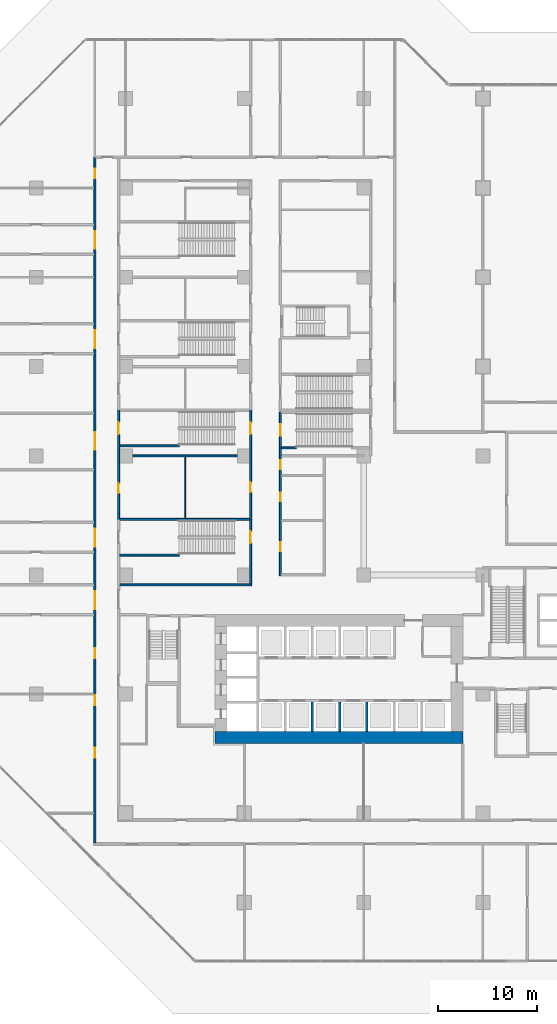
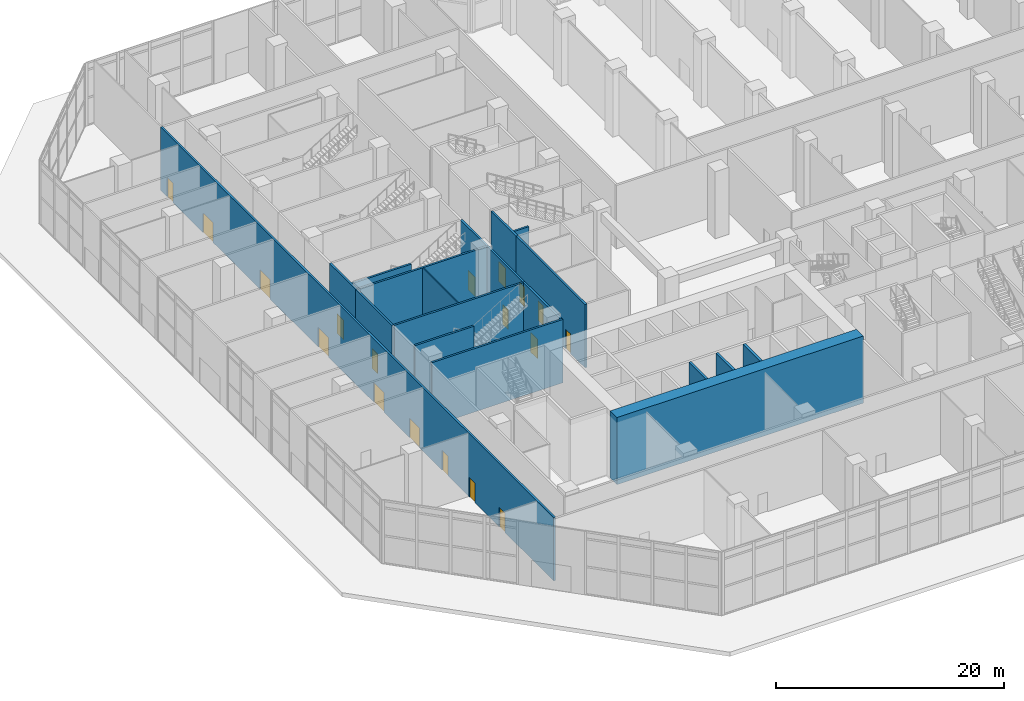
# One storey, part 19 of 34: 19 walls, 18 doors, 18 openings.
"""IFC4 building model written with IfcOpenShell, lengths in metres."""

from ifc_helpers import new_model, si_unit, direction, frame, frame_2d, origin, place, context, subcontext, project, spatial, rectangle, extrude, material, layer, layer_set, type_object, element, fill, save


model = new_model("IFC4")

# Units and contexts
model_context = context("Model", 3, precision=1e-05, world=origin(), true_north=direction((0.0, 1.0)))
body_context = subcontext(model_context, "Body", "Model", "MODEL_VIEW")
ifc_project = project(units=[si_unit("LENGTHUNIT", "METRE"), si_unit("AREAUNIT", "SQUARE_METRE"), si_unit("VOLUMEUNIT", "CUBIC_METRE"), si_unit("PLANEANGLEUNIT", "RADIAN"), si_unit("MASSUNIT", "GRAM", prefix="KILO")], contexts=[model_context])

# Site, building, storey
site_placement = place(None, origin())
site = spatial("IfcSite", under=ifc_project, at=site_placement, CompositionType="ELEMENT")
building_placement = place(site_placement, origin())
building = spatial("IfcBuilding", under=site, at=building_placement, Name="Chenar Terraces", CompositionType="ELEMENT")
storey_placement = place(building_placement, origin())
storey = spatial("IfcBuildingStorey", under=building, at=storey_placement, Name="L00", CompositionType="ELEMENT", Elevation=0.0)

# Walls
ifc_material_1 = material(Name="Gypsum board on steel studs with mineral wool", Category="steel")
ifc_layer_1 = layer(ifc_material_1, 0.125)
ifc_layer_set_1 = layer_set([ifc_layer_1], Name="Gypsum board on steel studs with mineral wool")
wall_type_1 = type_object("IfcWallType", Name="Acoustic partition 125", PredefinedType="PARTITIONING", material=ifc_layer_set_1)
wall_1_placement = place(storey_placement, frame((6.0, 29.699951171875, 0.0), z_axis=(0.0, 0.0, 1.0), x_axis=(0.0, 1.0, 0.0)))
element("IfcWall", 1, at=wall_1_placement, inside=storey, type_object=wall_type_1, Name="Partition L00-043", PredefinedType="PARTITIONING", context=body_context, shape_type="SweptSolid", body=[
    extrude(rectangle(XDim=6.199951171875, YDim=0.125, at=frame_2d((3.10009765625, 0.0))), origin(), (0.0, 0.0, 1.0), 6.800048828125),
])
ifc_material_2 = material(Name="Concrete C70/85", Category="concrete")
ifc_layer_2 = layer(ifc_material_2, 1.199951171875)
ifc_layer_set_2 = layer_set([ifc_layer_2], Name="Concrete C70/85")
wall_type_2 = type_object("IfcWallType", Name="Core wall 1200 Concrete C70/85", PredefinedType="SHEAR", material=ifc_layer_set_2)
wall_2_placement = place(storey_placement, frame((9.0, 7.60009765625, 0.0), z_axis=(0.0, 0.0, 1.0), x_axis=(1.0, 0.0, 0.0)))
element("IfcWall", 2, at=wall_2_placement, inside=storey, type_object=wall_type_2, Name="Core wall S L00", PredefinedType="SHEAR", context=body_context, shape_type="SweptSolid", body=[
    extrude(rectangle(XDim=25.0, YDim=1.199951171875, at=frame_2d((12.5, 0.0))), origin(), (0.0, 0.0, 1.0), 7.199951171875),
])
ifc_material_3 = material(Name="Concrete C70/85", Category="concrete")
ifc_layer_3 = layer(ifc_material_3, 0.25)
ifc_layer_set_3 = layer_set([ifc_layer_3], Name="Concrete C70/85")
wall_type_3 = type_object("IfcWallType", Name="Core wall 250 Concrete C70/85", PredefinedType="SHEAR", material=ifc_layer_set_3)
for number, where, z_axis, x_axis, name in (
    (3, (18.824951171875, 8.199951171875, 0.0), (0.0, 0.0, 1.0), (0.0, 1.0, 0.0), "Core wall SS1 L00"),
    (4, (21.574951171875, 8.199951171875, 0.0), (0.0, 0.0, 1.0), (0.0, 1.0, 0.0), "Core wall SS2 L00"),
    (5, (24.324951171875, 8.199951171875, 0.0), (0.0, 0.0, 1.0), (0.0, 1.0, 0.0), "Core wall SS3 L00"),
):
    element("IfcWall", number, at=place(storey_placement, frame(where, z_axis=z_axis, x_axis=x_axis)), inside=storey, type_object=wall_type_3, Name=name, PredefinedType="SHEAR", context=body_context, shape_type="SweptSolid", body=[
        extrude(rectangle(XDim=3.0, YDim=0.25, at=frame_2d((1.5, 0.0))), origin(), (0.0, 0.0, 1.0), 7.199951171875),
    ])

# Wall, openings, doors
ifc_material_4 = material(Name="Gypsum board on steel studs with fire boards", Category="steel")
ifc_layer_4 = layer(ifc_material_4, 0.199951171875)
ifc_layer_set_4 = layer_set([ifc_layer_4], Name="Gypsum board on steel studs with fire boards")
wall_type_4 = type_object("IfcWallType", Name="Corridor wall 200", PredefinedType="PARTITIONING", material=ifc_layer_set_4)
wall_3_placement = place(storey_placement, frame((-3.10009765625, -3.0, 0.0), z_axis=(0.0, 0.0, 1.0), x_axis=(0.0, 1.0, 0.0)))
wall_3 = element("IfcWall", 6, at=wall_3_placement, inside=storey, type_object=wall_type_4, Name="Partition L00-016", PredefinedType="PARTITIONING", context=body_context, shape_type="SweptSolid", body=[
    extrude(rectangle(XDim=69.10009765625, YDim=0.199951171875, at=frame_2d((34.550048828125, 0.0))), origin(), (0.0, 0.0, 1.0), 6.800048828125),
])
opening_1_placement = place(wall_3_placement, frame((8.60009765625, 0.0, 0.0)))
opening_1 = element("IfcOpeningElement", 7, at=opening_1_placement, cuts=wall_3, Name="Opening DL00-72", PredefinedType="OPENING", context=body_context, shape_type="SweptSolid", body=[
    extrude(rectangle(XDim=1.0, YDim=2.10009765625, at=frame_2d((0.5, 1.050048828125))), frame((0.0, 0.10986328125, 0.0), z_axis=(0.0, -1.0, 0.0), x_axis=(1.0, 0.0, 0.0)), (0.0, 0.0, 1.0), 0.219970703125),
])
opening_2_placement = place(wall_3_placement, frame((13.85009765625, 0.0, 0.0)))
opening_2 = element("IfcOpeningElement", 8, at=opening_2_placement, cuts=wall_3, Name="Opening DL00-73", PredefinedType="OPENING", context=body_context, shape_type="SweptSolid", body=[
    extrude(rectangle(XDim=1.0, YDim=2.10009765625, at=frame_2d((0.5, 1.050048828125))), frame((0.0, 0.10986328125, 0.0), z_axis=(0.0, -1.0, 0.0), x_axis=(1.0, 0.0, 0.0)), (0.0, 0.0, 1.0), 0.219970703125),
])
opening_3_placement = place(wall_3_placement, frame((18.60009765625, 0.0, 0.0)))
opening_3 = element("IfcOpeningElement", 9, at=opening_3_placement, cuts=wall_3, Name="Opening DL00-75", PredefinedType="OPENING", context=body_context, shape_type="SweptSolid", body=[
    extrude(rectangle(XDim=1.0, YDim=2.10009765625, at=frame_2d((0.5, 1.050048828125))), frame((0.0, 0.10986328125, 0.0), z_axis=(0.0, -1.0, 0.0), x_axis=(1.0, 0.0, 0.0)), (0.0, 0.0, 1.0), 0.219970703125),
])
opening_4_placement = place(wall_3_placement, frame((66.949951171875, 0.0, 0.0)))
opening_4 = element("IfcOpeningElement", 10, at=opening_4_placement, cuts=wall_3, Name="Opening DL00-82", PredefinedType="OPENING", context=body_context, shape_type="SweptSolid", body=[
    extrude(rectangle(XDim=1.0, YDim=2.10009765625, at=frame_2d((0.5, 1.050048828125))), frame((0.0, 0.10986328125, 0.0), z_axis=(0.0, -1.0, 0.0), x_axis=(1.0, 0.0, 0.0)), (0.0, 0.0, 1.0), 0.219970703125),
])
opening_5_placement = place(wall_3_placement, frame((59.85009765625, 0.0, 0.0)))
opening_5 = element("IfcOpeningElement", 11, at=opening_5_placement, cuts=wall_3, Name="Opening DL00-107", PredefinedType="OPENING", context=body_context, shape_type="SweptSolid", body=[
    extrude(rectangle(XDim=1.800048828125, YDim=2.10009765625, at=frame_2d((0.89990234375, 1.050048828125))), frame((0.0, 0.10986328125, 0.0), z_axis=(0.0, -1.0, 0.0), x_axis=(1.0, 0.0, 0.0)), (0.0, 0.0, 1.0), 0.219970703125),
])
opening_6_placement = place(wall_3_placement, frame((49.85009765625, 0.0, 0.0)))
opening_6 = element("IfcOpeningElement", 12, at=opening_6_placement, cuts=wall_3, Name="Opening DL00-108", PredefinedType="OPENING", context=body_context, shape_type="SweptSolid", body=[
    extrude(rectangle(XDim=1.800048828125, YDim=2.10009765625, at=frame_2d((0.89990234375, 1.050048828125))), frame((0.0, 0.10986328125, 0.0), z_axis=(0.0, -1.0, 0.0), x_axis=(1.0, 0.0, 0.0)), (0.0, 0.0, 1.0), 0.219970703125),
])
opening_7_placement = place(wall_3_placement, frame((29.85009765625, 0.0, 0.0)))
opening_7 = element("IfcOpeningElement", 13, at=opening_7_placement, cuts=wall_3, Name="Opening DL00-109", PredefinedType="OPENING", context=body_context, shape_type="SweptSolid", body=[
    extrude(rectangle(XDim=1.800048828125, YDim=2.10009765625, at=frame_2d((0.89990234375, 1.050048828125))), frame((0.0, 0.10986328125, 0.0), z_axis=(0.0, -1.0, 0.0), x_axis=(1.0, 0.0, 0.0)), (0.0, 0.0, 1.0), 0.219970703125),
])
opening_8_placement = place(wall_3_placement, frame((39.60009765625, 0.0, 0.0)))
opening_8 = element("IfcOpeningElement", 14, at=opening_8_placement, cuts=wall_3, Name="Opening DL00-110", PredefinedType="OPENING", context=body_context, shape_type="SweptSolid", body=[
    extrude(rectangle(XDim=1.800048828125, YDim=2.10009765625, at=frame_2d((0.89990234375, 1.050048828125))), frame((0.0, 0.10986328125, 0.0), z_axis=(0.0, -1.0, 0.0), x_axis=(1.0, 0.0, 0.0)), (0.0, 0.0, 1.0), 0.219970703125),
])
opening_9_placement = place(wall_3_placement, frame((23.550048828125, 0.0, 0.0)))
opening_9 = element("IfcOpeningElement", 15, at=opening_9_placement, cuts=wall_3, Name="Opening DL00-111", PredefinedType="OPENING", context=body_context, shape_type="SweptSolid", body=[
    extrude(rectangle(XDim=1.800048828125, YDim=2.10009765625, at=frame_2d((0.89990234375, 1.050048828125))), frame((0.0, 0.10986328125, 0.0), z_axis=(0.0, -1.0, 0.0), x_axis=(1.0, 0.0, 0.0)), (0.0, 0.0, 1.0), 0.219970703125),
])
ifc_material_5 = material(Name="Steel-framed fire-resisting door leaf", Category="steel")
door_type_1 = type_object("IfcDoorType", Name="Fire door FD60 1000 x 2100", OperationType="SINGLE_SWING_LEFT", PredefinedType="DOOR", material=ifc_material_5)
door_1_placement = place(opening_1_placement, origin())
door_1 = element("IfcDoor", 16, at=door_1_placement, inside=storey, type_object=door_type_1, Name="Door DL00-72", OperationType="SINGLE_SWING_RIGHT", OverallHeight=2.10009765625, OverallWidth=1.0, PredefinedType="DOOR", context=body_context, shape_type="SweptSolid", body=[
    extrude(rectangle(XDim=1.0, YDim=2.10009765625, at=frame_2d((0.5, 1.050048828125))), frame((0.0, 0.02490234375, 0.0), z_axis=(0.0, -1.0, 0.0), x_axis=(1.0, 0.0, 0.0)), (0.0, 0.0, 1.0), 0.050048828125),
])
fill(opening_1, door_1)
door_2_placement = place(opening_2_placement, origin())
door_2 = element("IfcDoor", 17, at=door_2_placement, inside=storey, type_object=door_type_1, Name="Door DL00-73", OperationType="SINGLE_SWING_RIGHT", OverallHeight=2.10009765625, OverallWidth=1.0, PredefinedType="DOOR", context=body_context, shape_type="SweptSolid", body=[
    extrude(rectangle(XDim=1.0, YDim=2.10009765625, at=frame_2d((0.5, 1.050048828125))), frame((0.0, 0.02490234375, 0.0), z_axis=(0.0, -1.0, 0.0), x_axis=(1.0, 0.0, 0.0)), (0.0, 0.0, 1.0), 0.050048828125),
])
fill(opening_2, door_2)
door_3_placement = place(opening_3_placement, origin())
door_3 = element("IfcDoor", 18, at=door_3_placement, inside=storey, type_object=door_type_1, Name="Door DL00-75", OperationType="SINGLE_SWING_RIGHT", OverallHeight=2.10009765625, OverallWidth=1.0, PredefinedType="DOOR", context=body_context, shape_type="SweptSolid", body=[
    extrude(rectangle(XDim=1.0, YDim=2.10009765625, at=frame_2d((0.5, 1.050048828125))), frame((0.0, 0.02490234375, 0.0), z_axis=(0.0, -1.0, 0.0), x_axis=(1.0, 0.0, 0.0)), (0.0, 0.0, 1.0), 0.050048828125),
])
fill(opening_3, door_3)
door_4_placement = place(opening_4_placement, origin())
door_4 = element("IfcDoor", 19, at=door_4_placement, inside=storey, type_object=door_type_1, Name="Door DL00-82", OperationType="SINGLE_SWING_LEFT", OverallHeight=2.10009765625, OverallWidth=1.0, PredefinedType="DOOR", context=body_context, shape_type="SweptSolid", body=[
    extrude(rectangle(XDim=1.0, YDim=2.10009765625, at=frame_2d((0.5, 1.050048828125))), frame((0.0, 0.02490234375, 0.0), z_axis=(0.0, -1.0, 0.0), x_axis=(1.0, 0.0, 0.0)), (0.0, 0.0, 1.0), 0.050048828125),
])
fill(opening_4, door_4)
ifc_material_6 = material(Name="Steel-framed fire-resisting door leaf", Category="steel")
door_type_2 = type_object("IfcDoorType", Name="Fire double door FD60 1800 x 2100", OperationType="DOUBLE_DOOR_SINGLE_SWING", PredefinedType="DOOR", material=ifc_material_6)
door_5_placement = place(opening_5_placement, origin())
door_5 = element("IfcDoor", 20, at=door_5_placement, inside=storey, type_object=door_type_2, Name="Door DL00-107", OperationType="DOUBLE_DOOR_SINGLE_SWING", OverallHeight=2.10009765625, OverallWidth=1.800048828125, PredefinedType="DOOR", context=body_context, shape_type="SweptSolid", body=[
    extrude(rectangle(XDim=1.800048828125, YDim=2.10009765625, at=frame_2d((0.89990234375, 1.050048828125))), frame((0.0, 0.02490234375, 0.0), z_axis=(0.0, -1.0, 0.0), x_axis=(1.0, 0.0, 0.0)), (0.0, 0.0, 1.0), 0.050048828125),
])
fill(opening_5, door_5)
door_6_placement = place(opening_6_placement, origin())
door_6 = element("IfcDoor", 21, at=door_6_placement, inside=storey, type_object=door_type_2, Name="Door DL00-108", OperationType="DOUBLE_DOOR_SINGLE_SWING", OverallHeight=2.10009765625, OverallWidth=1.800048828125, PredefinedType="DOOR", context=body_context, shape_type="SweptSolid", body=[
    extrude(rectangle(XDim=1.800048828125, YDim=2.10009765625, at=frame_2d((0.89990234375, 1.050048828125))), frame((0.0, 0.02490234375, 0.0), z_axis=(0.0, -1.0, 0.0), x_axis=(1.0, 0.0, 0.0)), (0.0, 0.0, 1.0), 0.050048828125),
])
fill(opening_6, door_6)
door_7_placement = place(opening_7_placement, origin())
door_7 = element("IfcDoor", 22, at=door_7_placement, inside=storey, type_object=door_type_2, Name="Door DL00-109", OperationType="DOUBLE_DOOR_SINGLE_SWING", OverallHeight=2.10009765625, OverallWidth=1.800048828125, PredefinedType="DOOR", context=body_context, shape_type="SweptSolid", body=[
    extrude(rectangle(XDim=1.800048828125, YDim=2.10009765625, at=frame_2d((0.89990234375, 1.050048828125))), frame((0.0, 0.02490234375, 0.0), z_axis=(0.0, -1.0, 0.0), x_axis=(1.0, 0.0, 0.0)), (0.0, 0.0, 1.0), 0.050048828125),
])
fill(opening_7, door_7)
door_8_placement = place(opening_8_placement, origin())
door_8 = element("IfcDoor", 23, at=door_8_placement, inside=storey, type_object=door_type_2, Name="Door DL00-110", OperationType="DOUBLE_DOOR_SINGLE_SWING", OverallHeight=2.10009765625, OverallWidth=1.800048828125, PredefinedType="DOOR", context=body_context, shape_type="SweptSolid", body=[
    extrude(rectangle(XDim=1.800048828125, YDim=2.10009765625, at=frame_2d((0.89990234375, 1.050048828125))), frame((0.0, 0.02490234375, 0.0), z_axis=(0.0, -1.0, 0.0), x_axis=(1.0, 0.0, 0.0)), (0.0, 0.0, 1.0), 0.050048828125),
])
fill(opening_8, door_8)
door_9_placement = place(opening_9_placement, origin())
door_9 = element("IfcDoor", 24, at=door_9_placement, inside=storey, type_object=door_type_2, Name="Door DL00-111", OperationType="DOUBLE_DOOR_SINGLE_SWING", OverallHeight=2.10009765625, OverallWidth=1.800048828125, PredefinedType="DOOR", context=body_context, shape_type="SweptSolid", body=[
    extrude(rectangle(XDim=1.800048828125, YDim=2.10009765625, at=frame_2d((0.89990234375, 1.050048828125))), frame((0.0, 0.02490234375, 0.0), z_axis=(0.0, -1.0, 0.0), x_axis=(1.0, 0.0, 0.0)), (0.0, 0.0, 1.0), 0.050048828125),
])
fill(opening_9, door_9)

# Wall, opening, door
wall_4_placement = place(storey_placement, frame((-0.699951171875, 29.60009765625, 0.0), z_axis=(0.0, 0.0, 1.0), x_axis=(0.0, 1.0, 0.0)))
wall_4 = element("IfcWall", 25, at=wall_4_placement, inside=storey, type_object=wall_type_4, Name="Partition L00-022", PredefinedType="PARTITIONING", context=body_context, shape_type="SweptSolid", body=[
    extrude(rectangle(XDim=6.39990234375, YDim=0.199951171875, at=frame_2d((3.199951171875, 0.0))), origin(), (0.0, 0.0, 1.0), 6.800048828125),
])
opening_10_placement = place(wall_4_placement, frame((2.64990234375, 0.0, 0.0)))
opening_10 = element("IfcOpeningElement", 26, at=opening_10_placement, cuts=wall_4, Name="Opening DL00-35", PredefinedType="OPENING", context=body_context, shape_type="SweptSolid", body=[
    extrude(rectangle(XDim=1.0, YDim=2.10009765625, at=frame_2d((0.5, 1.050048828125))), frame((0.0, 0.10986328125, 0.0), z_axis=(0.0, -1.0, 0.0), x_axis=(1.0, 0.0, 0.0)), (0.0, 0.0, 1.0), 0.219970703125),
])
door_10_placement = place(opening_10_placement, frame((1.0, 0.0, 0.0), z_axis=(0.0, 0.0, 1.0), x_axis=(-1.0, 0.0, 0.0)))
door_10 = element("IfcDoor", 27, at=door_10_placement, inside=storey, type_object=door_type_1, Name="Door DL00-35", OperationType="SINGLE_SWING_LEFT", OverallHeight=2.10009765625, OverallWidth=1.0, PredefinedType="DOOR", context=body_context, shape_type="SweptSolid", body=[
    extrude(rectangle(XDim=1.0, YDim=2.10009765625, at=frame_2d((0.5, 1.050048828125))), frame((0.0, 0.02490234375, 0.0), z_axis=(0.0, -1.0, 0.0), x_axis=(1.0, 0.0, 0.0)), (0.0, 0.0, 1.0), 0.050048828125),
])
fill(opening_10, door_10)

wall_5_placement = place(storey_placement, frame((12.60009765625, 29.60009765625, 0.0), z_axis=(0.0, 0.0, 1.0), x_axis=(0.0, 1.0, 0.0)))
wall_5 = element("IfcWall", 28, at=wall_5_placement, inside=storey, type_object=wall_type_4, Name="Partition L00-050", PredefinedType="PARTITIONING", context=body_context, shape_type="SweptSolid", body=[
    extrude(rectangle(XDim=6.39990234375, YDim=0.199951171875, at=frame_2d((3.199951171875, 0.0))), origin(), (0.0, 0.0, 1.0), 6.800048828125),
])
opening_11_placement = place(wall_5_placement, frame((2.75, 0.0, 0.0)))
opening_11 = element("IfcOpeningElement", 29, at=opening_11_placement, cuts=wall_5, Name="Opening DL00-10", PredefinedType="OPENING", context=body_context, shape_type="SweptSolid", body=[
    extrude(rectangle(XDim=1.0, YDim=2.10009765625, at=frame_2d((0.5, 1.050048828125))), frame((0.0, 0.10986328125, 0.0), z_axis=(0.0, -1.0, 0.0), x_axis=(1.0, 0.0, 0.0)), (0.0, 0.0, 1.0), 0.219970703125),
])
door_11_placement = place(opening_11_placement, origin())
door_11 = element("IfcDoor", 30, at=door_11_placement, inside=storey, type_object=door_type_1, Name="Door DL00-10", OperationType="SINGLE_SWING_RIGHT", OverallHeight=2.10009765625, OverallWidth=1.0, PredefinedType="DOOR", context=body_context, shape_type="SweptSolid", body=[
    extrude(rectangle(XDim=1.0, YDim=2.10009765625, at=frame_2d((0.5, 1.050048828125))), frame((0.0, 0.02490234375, 0.0), z_axis=(0.0, -1.0, 0.0), x_axis=(1.0, 0.0, 0.0)), (0.0, 0.0, 1.0), 0.050048828125),
])
fill(opening_11, door_11)

# Wall, openings, doors
wall_6_placement = place(storey_placement, frame((15.60009765625, 23.89990234375, 0.0), z_axis=(0.0, 0.0, 1.0), x_axis=(0.0, 1.0, 0.0)))
wall_6 = element("IfcWall", 31, at=wall_6_placement, inside=storey, type_object=wall_type_4, Name="Partition L00-059", PredefinedType="PARTITIONING", context=body_context, shape_type="SweptSolid", body=[
    extrude(rectangle(XDim=12.10009765625, YDim=0.199951171875, at=frame_2d((6.050048828125, 0.0))), origin(), (0.0, 0.0, 1.0), 6.800048828125),
])
opening_12_placement = place(wall_6_placement, frame((10.75, 0.0, 0.0)))
opening_12 = element("IfcOpeningElement", 32, at=opening_12_placement, cuts=wall_6, Name="Opening DL00-113", PredefinedType="OPENING", context=body_context, shape_type="SweptSolid", body=[
    extrude(rectangle(XDim=0.89990234375, YDim=2.10009765625, at=frame_2d((0.449951171875, 1.050048828125))), frame((0.0, 0.10986328125, 0.0), z_axis=(0.0, -1.0, 0.0), x_axis=(1.0, 0.0, 0.0)), (0.0, 0.0, 1.0), 0.219970703125),
])
opening_13_placement = place(wall_6_placement, frame((7.5, 0.0, 0.0)))
opening_13 = element("IfcOpeningElement", 33, at=opening_13_placement, cuts=wall_6, Name="Opening DL00-114", PredefinedType="OPENING", context=body_context, shape_type="SweptSolid", body=[
    extrude(rectangle(XDim=0.89990234375, YDim=2.10009765625, at=frame_2d((0.449951171875, 1.050048828125))), frame((0.0, 0.10986328125, 0.0), z_axis=(0.0, -1.0, 0.0), x_axis=(1.0, 0.0, 0.0)), (0.0, 0.0, 1.0), 0.219970703125),
])
opening_14_placement = place(wall_6_placement, frame((2.5, 0.0, 0.0)))
opening_14 = element("IfcOpeningElement", 34, at=opening_14_placement, cuts=wall_6, Name="Opening DL00-115", PredefinedType="OPENING", context=body_context, shape_type="SweptSolid", body=[
    extrude(rectangle(XDim=0.89990234375, YDim=2.10009765625, at=frame_2d((0.449951171875, 1.050048828125))), frame((0.0, 0.10986328125, 0.0), z_axis=(0.0, -1.0, 0.0), x_axis=(1.0, 0.0, 0.0)), (0.0, 0.0, 1.0), 0.219970703125),
])
ifc_material_7 = material(Name="Steel-framed fire-resisting door leaf", Category="steel")
door_type_3 = type_object("IfcDoorType", Name="Fire door FD60 900 x 2100", OperationType="SINGLE_SWING_LEFT", PredefinedType="DOOR", material=ifc_material_7)
door_12_placement = place(opening_12_placement, frame((0.89990234375, 0.0, 0.0), z_axis=(0.0, 0.0, 1.0), x_axis=(-1.0, 0.0, 0.0)))
door_12 = element("IfcDoor", 35, at=door_12_placement, inside=storey, type_object=door_type_3, Name="Door DL00-113", OperationType="SINGLE_SWING_LEFT", OverallHeight=2.10009765625, OverallWidth=0.89990234375, PredefinedType="DOOR", context=body_context, shape_type="SweptSolid", body=[
    extrude(rectangle(XDim=0.89990234375, YDim=2.10009765625, at=frame_2d((0.449951171875, 1.050048828125))), frame((0.0, 0.02490234375, 0.0), z_axis=(0.0, -1.0, 0.0), x_axis=(1.0, 0.0, 0.0)), (0.0, 0.0, 1.0), 0.050048828125),
])
fill(opening_12, door_12)
door_13_placement = place(opening_13_placement, frame((0.89990234375, 0.0, 0.0), z_axis=(0.0, 0.0, 1.0), x_axis=(-1.0, 0.0, 0.0)))
door_13 = element("IfcDoor", 36, at=door_13_placement, inside=storey, type_object=door_type_3, Name="Door DL00-114", OperationType="SINGLE_SWING_RIGHT", OverallHeight=2.10009765625, OverallWidth=0.89990234375, PredefinedType="DOOR", context=body_context, shape_type="SweptSolid", body=[
    extrude(rectangle(XDim=0.89990234375, YDim=2.10009765625, at=frame_2d((0.449951171875, 1.050048828125))), frame((0.0, 0.02490234375, 0.0), z_axis=(0.0, -1.0, 0.0), x_axis=(1.0, 0.0, 0.0)), (0.0, 0.0, 1.0), 0.050048828125),
])
fill(opening_13, door_13)
door_14_placement = place(opening_14_placement, frame((0.89990234375, 0.0, 0.0), z_axis=(0.0, 0.0, 1.0), x_axis=(-1.0, 0.0, 0.0)))
door_14 = element("IfcDoor", 37, at=door_14_placement, inside=storey, type_object=door_type_3, Name="Door DL00-115", OperationType="SINGLE_SWING_RIGHT", OverallHeight=2.10009765625, OverallWidth=0.89990234375, PredefinedType="DOOR", context=body_context, shape_type="SweptSolid", body=[
    extrude(rectangle(XDim=0.89990234375, YDim=2.10009765625, at=frame_2d((0.449951171875, 1.050048828125))), frame((0.0, 0.02490234375, 0.0), z_axis=(0.0, -1.0, 0.0), x_axis=(1.0, 0.0, 0.0)), (0.0, 0.0, 1.0), 0.050048828125),
])
fill(opening_14, door_14)

# Wall, opening, door
ifc_material_8 = material(Name="Reinforced concrete C40/50", Category="concrete")
ifc_layer_5 = layer(ifc_material_8, 0.199951171875)
ifc_layer_set_5 = layer_set([ifc_layer_5], Name="Reinforced concrete C40/50")
wall_type_5 = type_object("IfcWallType", Name="Stair enclosure wall 200 concrete", PredefinedType="SOLIDWALL", material=ifc_layer_set_5)
wall_7_placement = place(storey_placement, frame((-0.699951171875, 36.0, 0.0), z_axis=(0.0, 0.0, 1.0), x_axis=(0.0, 1.0, 0.0)))
wall_7 = element("IfcWall", 38, at=wall_7_placement, inside=storey, type_object=wall_type_5, Name="Stair enclosure wall L00-023", PredefinedType="SOLIDWALL", context=body_context, shape_type="SweptSolid", body=[
    extrude(rectangle(XDim=4.60009765625, YDim=0.199951171875, at=frame_2d((2.300048828125, 0.0))), origin(), (0.0, 0.0, 1.0), 6.800048828125),
])
opening_15_placement = place(wall_7_placement, frame((2.199951171875, 0.0, 0.0)))
opening_15 = element("IfcOpeningElement", 39, at=opening_15_placement, cuts=wall_7, Name="Opening DL00-100", PredefinedType="OPENING", context=body_context, shape_type="SweptSolid", body=[
    extrude(rectangle(XDim=1.199951171875, YDim=2.10009765625, at=frame_2d((0.60009765625, 1.050048828125))), frame((0.0, 0.10986328125, 0.0), z_axis=(0.0, -1.0, 0.0), x_axis=(1.0, 0.0, 0.0)), (0.0, 0.0, 1.0), 0.219970703125),
])
ifc_material_9 = material(Name="Steel-framed fire-resisting door leaf", Category="steel")
door_type_4 = type_object("IfcDoorType", Name="Fire door FD120 1200 x 2100", OperationType="SINGLE_SWING_LEFT", PredefinedType="DOOR", material=ifc_material_9)
door_15_placement = place(opening_15_placement, frame((1.199951171875, 0.0, 0.0), z_axis=(0.0, 0.0, 1.0), x_axis=(-1.0, 0.0, 0.0)))
door_15 = element("IfcDoor", 40, at=door_15_placement, inside=storey, type_object=door_type_4, Name="Door DL00-100", OperationType="SINGLE_SWING_LEFT", OverallHeight=2.10009765625, OverallWidth=1.199951171875, PredefinedType="DOOR", context=body_context, shape_type="SweptSolid", body=[
    extrude(rectangle(XDim=1.199951171875, YDim=2.10009765625, at=frame_2d((0.60009765625, 1.050048828125))), frame((0.0, 0.02490234375, 0.0), z_axis=(0.0, -1.0, 0.0), x_axis=(1.0, 0.0, 0.0)), (0.0, 0.0, 1.0), 0.050048828125),
])
fill(opening_15, door_15)

# Walls
wall_8_placement = place(storey_placement, frame((-0.60009765625, 23.0, 0.0), z_axis=(0.0, 0.0, 1.0), x_axis=(1.0, 0.0, 0.0)))
element("IfcWall", 41, at=wall_8_placement, inside=storey, type_object=wall_type_5, Name="Stair enclosure wall L00-031", PredefinedType="SOLIDWALL", context=body_context, shape_type="SweptSolid", body=[
    extrude(rectangle(XDim=13.300048828125, YDim=0.199951171875, at=frame_2d((6.64990234375, 0.0))), origin(), (0.0, 0.0, 1.0), 6.800048828125),
])
for number, where, z_axis, x_axis, name in (
    (42, (-0.60009765625, 29.60009765625, 0.0), (0.0, 0.0, 1.0), (1.0, 0.0, 0.0), "Stair enclosure wall L00-032"),
    (43, (-0.60009765625, 36.0, 0.0), (0.0, 0.0, 1.0), (1.0, 0.0, 0.0), "Stair enclosure wall L00-033"),
):
    element("IfcWall", number, at=place(storey_placement, frame(where, z_axis=z_axis, x_axis=x_axis)), inside=storey, type_object=wall_type_5, Name=name, PredefinedType="SOLIDWALL", context=body_context, shape_type="SweptSolid", body=[
        extrude(rectangle(XDim=13.10009765625, YDim=0.199951171875, at=frame_2d((6.550048828125, 0.0))), origin(), (0.0, 0.0, 1.0), 6.800048828125),
    ])

# Wall, opening, door
wall_9_placement = place(storey_placement, frame((12.60009765625, 23.10009765625, 0.0), z_axis=(0.0, 0.0, 1.0), x_axis=(0.0, 1.0, 0.0)))
wall_9 = element("IfcWall", 44, at=wall_9_placement, inside=storey, type_object=wall_type_5, Name="Stair enclosure wall L00-049", PredefinedType="SOLIDWALL", context=body_context, shape_type="SweptSolid", body=[
    extrude(rectangle(XDim=6.5, YDim=0.199951171875, at=frame_2d((3.25, 0.0))), origin(), (0.0, 0.0, 1.0), 6.800048828125),
])
opening_16_placement = place(wall_9_placement, frame((4.10009765625, 0.0, 0.0)))
opening_16 = element("IfcOpeningElement", 45, at=opening_16_placement, cuts=wall_9, Name="Opening DL00-91", PredefinedType="OPENING", context=body_context, shape_type="SweptSolid", body=[
    extrude(rectangle(XDim=1.199951171875, YDim=2.10009765625, at=frame_2d((0.60009765625, 1.050048828125))), frame((0.0, 0.10986328125, 0.0), z_axis=(0.0, -1.0, 0.0), x_axis=(1.0, 0.0, 0.0)), (0.0, 0.0, 1.0), 0.219970703125),
])
door_16_placement = place(opening_16_placement, origin())
door_16 = element("IfcDoor", 46, at=door_16_placement, inside=storey, type_object=door_type_4, Name="Door DL00-91", OperationType="SINGLE_SWING_RIGHT", OverallHeight=2.10009765625, OverallWidth=1.199951171875, PredefinedType="DOOR", context=body_context, shape_type="SweptSolid", body=[
    extrude(rectangle(XDim=1.199951171875, YDim=2.10009765625, at=frame_2d((0.60009765625, 1.050048828125))), frame((0.0, 0.02490234375, 0.0), z_axis=(0.0, -1.0, 0.0), x_axis=(1.0, 0.0, 0.0)), (0.0, 0.0, 1.0), 0.050048828125),
])
fill(opening_16, door_16)

wall_10_placement = place(storey_placement, frame((12.60009765625, 36.0, 0.0), z_axis=(0.0, 0.0, 1.0), x_axis=(0.0, 1.0, 0.0)))
wall_10 = element("IfcWall", 47, at=wall_10_placement, inside=storey, type_object=wall_type_5, Name="Stair enclosure wall L00-051", PredefinedType="SOLIDWALL", context=body_context, shape_type="SweptSolid", body=[
    extrude(rectangle(XDim=4.60009765625, YDim=0.199951171875, at=frame_2d((2.300048828125, 0.0))), origin(), (0.0, 0.0, 1.0), 6.800048828125),
])
opening_17_placement = place(wall_10_placement, frame((2.199951171875, 0.0, 0.0)))
opening_17 = element("IfcOpeningElement", 48, at=opening_17_placement, cuts=wall_10, Name="Opening DL00-99", PredefinedType="OPENING", context=body_context, shape_type="SweptSolid", body=[
    extrude(rectangle(XDim=1.199951171875, YDim=2.10009765625, at=frame_2d((0.60009765625, 1.050048828125))), frame((0.0, 0.10986328125, 0.0), z_axis=(0.0, -1.0, 0.0), x_axis=(1.0, 0.0, 0.0)), (0.0, 0.0, 1.0), 0.219970703125),
])
door_17_placement = place(opening_17_placement, origin())
door_17 = element("IfcDoor", 49, at=door_17_placement, inside=storey, type_object=door_type_4, Name="Door DL00-99", OperationType="SINGLE_SWING_RIGHT", OverallHeight=2.10009765625, OverallWidth=1.199951171875, PredefinedType="DOOR", context=body_context, shape_type="SweptSolid", body=[
    extrude(rectangle(XDim=1.199951171875, YDim=2.10009765625, at=frame_2d((0.60009765625, 1.050048828125))), frame((0.0, 0.02490234375, 0.0), z_axis=(0.0, -1.0, 0.0), x_axis=(1.0, 0.0, 0.0)), (0.0, 0.0, 1.0), 0.050048828125),
])
fill(opening_17, door_17)

wall_11_placement = place(storey_placement, frame((15.60009765625, 36.0, 0.0), z_axis=(0.0, 0.0, 1.0), x_axis=(0.0, 1.0, 0.0)))
wall_11 = element("IfcWall", 50, at=wall_11_placement, inside=storey, type_object=wall_type_5, Name="Stair enclosure wall L00-060", PredefinedType="SOLIDWALL", context=body_context, shape_type="SweptSolid", body=[
    extrude(rectangle(XDim=4.39990234375, YDim=0.199951171875, at=frame_2d((2.199951171875, 0.0))), origin(), (0.0, 0.0, 1.0), 6.800048828125),
])
opening_18_placement = place(wall_11_placement, frame((2.0, 0.0, 0.0)))
opening_18 = element("IfcOpeningElement", 51, at=opening_18_placement, cuts=wall_11, Name="Opening DL00-95", PredefinedType="OPENING", context=body_context, shape_type="SweptSolid", body=[
    extrude(rectangle(XDim=1.199951171875, YDim=2.10009765625, at=frame_2d((0.60009765625, 1.050048828125))), frame((0.0, 0.10986328125, 0.0), z_axis=(0.0, -1.0, 0.0), x_axis=(1.0, 0.0, 0.0)), (0.0, 0.0, 1.0), 0.219970703125),
])
door_18_placement = place(opening_18_placement, frame((1.199951171875, 0.0, 0.0), z_axis=(0.0, 0.0, 1.0), x_axis=(-1.0, 0.0, 0.0)))
door_18 = element("IfcDoor", 52, at=door_18_placement, inside=storey, type_object=door_type_4, Name="Door DL00-95", OperationType="SINGLE_SWING_LEFT", OverallHeight=2.10009765625, OverallWidth=1.199951171875, PredefinedType="DOOR", context=body_context, shape_type="SweptSolid", body=[
    extrude(rectangle(XDim=1.199951171875, YDim=2.10009765625, at=frame_2d((0.60009765625, 1.050048828125))), frame((0.0, 0.02490234375, 0.0), z_axis=(0.0, -1.0, 0.0), x_axis=(1.0, 0.0, 0.0)), (0.0, 0.0, 1.0), 0.050048828125),
])
fill(opening_18, door_18)

# Walls
wall_12_placement = place(storey_placement, frame((-0.60009765625, 26.0, 0.0), z_axis=(0.0, 0.0, 1.0), x_axis=(1.0, 0.0, 0.0)))
element("IfcWall", 53, at=wall_12_placement, inside=storey, type_object=wall_type_5, Name="Stair enclosure wall L00-PS5-030", PredefinedType="SOLIDWALL", context=body_context, shape_type="SweptSolid", body=[
    extrude(rectangle(XDim=5.985107421875, YDim=0.199951171875, at=frame_2d((2.99267578125, 0.0))), origin(), (0.0, 0.0, 1.0), 6.800048828125),
])
wall_13_placement = place(storey_placement, frame((15.699951171875, 36.800048828125, 0.0), z_axis=(0.0, 0.0, 1.0), x_axis=(1.0, 0.0, 0.0)))
element("IfcWall", 54, at=wall_13_placement, inside=storey, type_object=wall_type_5, Name="Stair enclosure wall L00-PS7-057", PredefinedType="SOLIDWALL", context=body_context, shape_type="SweptSolid", body=[
    extrude(rectangle(XDim=1.51513671875, YDim=0.199951171875, at=frame_2d((0.757568359375, 0.0))), origin(), (0.0, 0.0, 1.0), 6.800048828125),
])
wall_14_placement = place(storey_placement, frame((-0.60009765625, 37.0, 0.0), z_axis=(0.0, 0.0, 1.0), x_axis=(1.0, 0.0, 0.0)))
element("IfcWall", 55, at=wall_14_placement, inside=storey, type_object=wall_type_5, Name="Stair enclosure wall L00-PS9-064", PredefinedType="SOLIDWALL", context=body_context, shape_type="SweptSolid", body=[
    extrude(rectangle(XDim=5.985107421875, YDim=0.199951171875, at=frame_2d((2.99267578125, 0.0))), origin(), (0.0, 0.0, 1.0), 6.800048828125),
])

save(model, "model.ifc")
